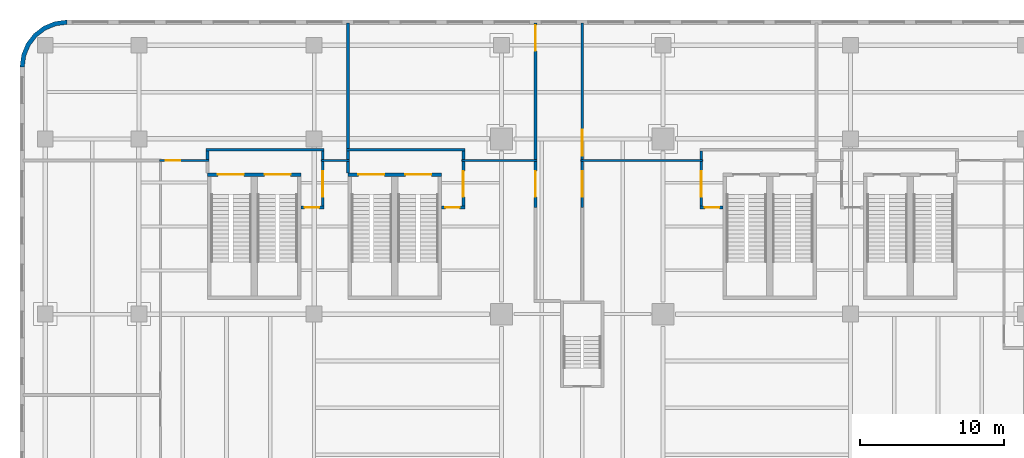
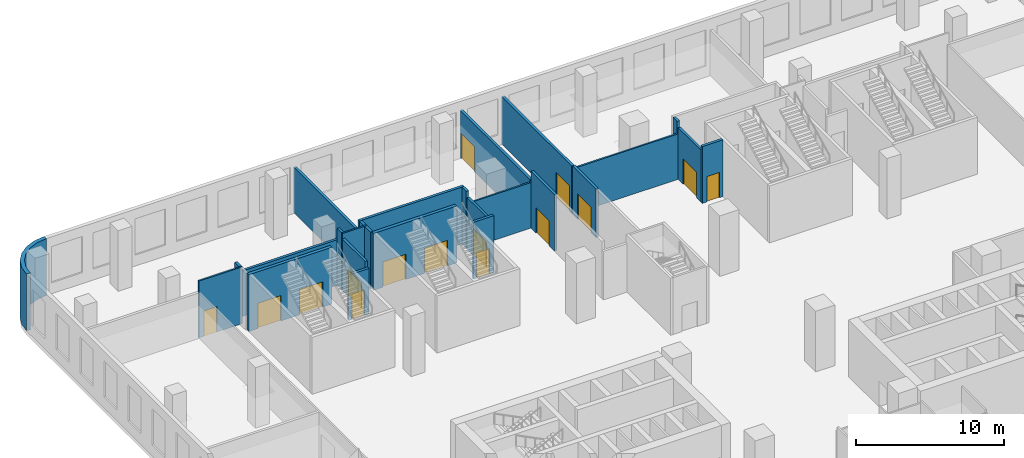
# One storey, part 13 of 17: 26 walls, 15 doors, 15 openings.
"""IFC4 building model written with IfcOpenShell, lengths in metres."""

from ifc_helpers import new_model, si_unit, direction, frame, frame_2d, origin, place, context, subcontext, project, spatial, polyline, rectangle, outline, extrude, source, transform, mapped, material, layer, layer_set, type_object, element, fill, save


model = new_model("IFC4")

# Units and contexts
model_context = context("Model", 3, precision=1e-05, world=origin(), true_north=direction((0.0, 1.0)))
body_context = subcontext(model_context, "Body", "Model", "MODEL_VIEW")
ifc_project = project(units=[si_unit("LENGTHUNIT", "METRE"), si_unit("AREAUNIT", "SQUARE_METRE"), si_unit("VOLUMEUNIT", "CUBIC_METRE"), si_unit("PLANEANGLEUNIT", "RADIAN"), si_unit("MASSUNIT", "GRAM", prefix="KILO")], contexts=[model_context])

# Site, building, storey
site_placement = place(None, origin())
site = spatial("IfcSite", under=ifc_project, at=site_placement, CompositionType="ELEMENT")
building_placement = place(site_placement, origin())
building = spatial("IfcBuilding", under=site, at=building_placement, Name="Trellis Farm Tower", CompositionType="ELEMENT")
storey_placement = place(building_placement, frame((0.0, 0.0, 19.0)))
storey = spatial("IfcBuildingStorey", under=building, at=storey_placement, Name="L03", CompositionType="ELEMENT", Elevation=19.0)

# Wall, openings, doors
ifc_material_1 = material(Name="Concrete C80/95", Category="concrete")
ifc_layer_1 = layer(ifc_material_1, 0.25)
ifc_layer_set_1 = layer_set([ifc_layer_1], Name="CORE STAIR ENCLOSURE WALL 250 CONCRETE C80/95")
wall_type_1 = type_object("IfcWallType", Name="CORE STAIR ENCLOSURE WALL 250 CONCRETE C80/95", PredefinedType="SHEAR", material=ifc_layer_set_1)
shared_shape_1 = source(origin(), body_context, "Body", "SweptSolid", [
    extrude(rectangle(XDim=6.5, YDim=0.25, at=frame_2d((3.25, 0.0))), origin(), (0.0, 0.0, 1.0), 4.699951171875),
])
wall_1_placement = place(storey_placement, frame((-26.0, 28.27490234375, 0.0), z_axis=(0.0, 0.0, 1.0), x_axis=(1.0, 0.0, 0.0)))
wall_1 = element("IfcWall", 1, at=wall_1_placement, inside=storey, type_object=wall_type_1, Name="Podium stair enclosure wall", PredefinedType="SHEAR", context=body_context, shape_type="MappedRepresentation", body=[
    mapped(shared_shape_1, transform((0.0, 0.0, 0.0))),
])
shared_shape_2 = source(origin(), body_context, "Body", "SweptSolid", [
    extrude(rectangle(XDim=1.800048828125, YDim=2.10009765625, at=frame_2d((0.89990234375, 1.050048828125))), frame((0.0, 0.135009765625, 0.0), z_axis=(0.0, -1.0, 0.0), x_axis=(1.0, 0.0, 0.0)), (0.0, 0.0, 1.0), 0.27001953125),
])
opening_1_placement = place(wall_1_placement, frame((0.72509765625, 0.0, 0.0)))
opening_1 = element("IfcOpeningElement", 2, at=opening_1_placement, cuts=wall_1, Name="Opening DP1", PredefinedType="OPENING", context=body_context, shape_type="MappedRepresentation", body=[
    mapped(shared_shape_2, transform((0.0, 0.0, 0.0))),
])
opening_2_placement = place(wall_1_placement, frame((3.97509765625, 0.0, 0.0)))
opening_2 = element("IfcOpeningElement", 3, at=opening_2_placement, cuts=wall_1, Name="Opening DP2", PredefinedType="OPENING", context=body_context, shape_type="MappedRepresentation", body=[
    mapped(shared_shape_2, transform((0.0, 0.0, 0.0))),
])
ifc_material_2 = material(Name="Steel", Category="steel")
door_type_1 = type_object("IfcDoorType", Name="CORE FIRE DOOR DOUBLE 1800 X 2100", OperationType="DOUBLE_DOOR_SINGLE_SWING", PredefinedType="DOOR", material=ifc_material_2)
shared_shape_3 = source(origin(), body_context, "Body", "SweptSolid", [
    extrude(rectangle(XDim=1.800048828125, YDim=2.10009765625, at=frame_2d((0.89990234375, 1.050048828125))), frame((0.0, 0.02490234375, 0.0), z_axis=(0.0, -1.0, 0.0), x_axis=(1.0, 0.0, 0.0)), (0.0, 0.0, 1.0), 0.050048828125),
])
door_1_placement = place(opening_1_placement, origin())
door_1 = element("IfcDoor", 4, at=door_1_placement, inside=storey, type_object=door_type_1, Name="Podium stair door", OperationType="DOUBLE_DOOR_SINGLE_SWING", OverallHeight=2.10009765625, OverallWidth=1.800048828125, PredefinedType="DOOR", context=body_context, shape_type="MappedRepresentation", body=[
    mapped(shared_shape_3, transform((0.0, 0.0, 0.0))),
])
fill(opening_1, door_1)
door_2_placement = place(opening_2_placement, origin())
door_2 = element("IfcDoor", 5, at=door_2_placement, inside=storey, type_object=door_type_1, Name="Podium stair door", OperationType="DOUBLE_DOOR_SINGLE_SWING", OverallHeight=2.10009765625, OverallWidth=1.800048828125, PredefinedType="DOOR", context=body_context, shape_type="MappedRepresentation", body=[
    mapped(shared_shape_3, transform((0.0, 0.0, 0.0))),
])
fill(opening_2, door_2)

wall_2_placement = place(storey_placement, frame((-16.25, 28.27490234375, 0.0), z_axis=(0.0, 0.0, 1.0), x_axis=(1.0, 0.0, 0.0)))
wall_2 = element("IfcWall", 6, at=wall_2_placement, inside=storey, type_object=wall_type_1, Name="Podium stair enclosure wall", PredefinedType="SHEAR", context=body_context, shape_type="MappedRepresentation", body=[
    mapped(shared_shape_1, transform((0.0, 0.0, 0.0))),
])
opening_3_placement = place(wall_2_placement, frame((0.72509765625, 0.0, 0.0)))
opening_3 = element("IfcOpeningElement", 7, at=opening_3_placement, cuts=wall_2, Name="Opening DP3", PredefinedType="OPENING", context=body_context, shape_type="MappedRepresentation", body=[
    mapped(shared_shape_2, transform((0.0, 0.0, 0.0))),
])
opening_4_placement = place(wall_2_placement, frame((3.97509765625, 0.0, 0.0)))
opening_4 = element("IfcOpeningElement", 8, at=opening_4_placement, cuts=wall_2, Name="Opening DP4", PredefinedType="OPENING", context=body_context, shape_type="MappedRepresentation", body=[
    mapped(shared_shape_2, transform((0.0, 0.0, 0.0))),
])
door_3_placement = place(opening_3_placement, origin())
door_3 = element("IfcDoor", 9, at=door_3_placement, inside=storey, type_object=door_type_1, Name="Podium stair door", OperationType="DOUBLE_DOOR_SINGLE_SWING", OverallHeight=2.10009765625, OverallWidth=1.800048828125, PredefinedType="DOOR", context=body_context, shape_type="MappedRepresentation", body=[
    mapped(shared_shape_3, transform((0.0, 0.0, 0.0))),
])
fill(opening_3, door_3)
door_4_placement = place(opening_4_placement, origin())
door_4 = element("IfcDoor", 10, at=door_4_placement, inside=storey, type_object=door_type_1, Name="Podium stair door", OperationType="DOUBLE_DOOR_SINGLE_SWING", OverallHeight=2.10009765625, OverallWidth=1.800048828125, PredefinedType="DOOR", context=body_context, shape_type="MappedRepresentation", body=[
    mapped(shared_shape_3, transform((0.0, 0.0, 0.0))),
])
fill(opening_4, door_4)

# Walls
ifc_material_3 = material(Name="Sandstone faced insulated wall", Category="masonry")
ifc_layer_2 = layer(ifc_material_3, 0.300048828125)
ifc_layer_set_2 = layer_set([ifc_layer_2], Name="STONE CLAD EXTERNAL WALL 300")
wall_type_2 = type_object("IfcWallType", Name="STONE CLAD EXTERNAL WALL 300", PredefinedType="SOLIDWALL", material=ifc_layer_set_2)
shared_shape_4 = source(origin(), body_context, "Body", "SweptSolid", [
    extrude(outline(polyline([(-35.75, 39.0), (-36.591064453125, 38.88916015625), (-37.375, 38.564697265625), (-38.048095703125, 38.048095703125), (-38.564697265625, 37.375), (-38.88916015625, 36.591064453125), (-39.0, 35.75), (-38.699951171875, 35.730224609375), (-38.596923828125, 36.512939453125), (-38.302490234375, 37.2236328125), (-37.834228515625, 37.834228515625), (-37.2236328125, 38.302490234375), (-36.512939453125, 38.596923828125), (-35.730224609375, 38.699951171875), (-35.75, 39.0)])), origin(), (0.0, 0.0, 1.0), 4.699951171875),
])
wall_3_placement = place(storey_placement, origin())
element("IfcWall", 11, at=wall_3_placement, inside=storey, type_object=wall_type_2, Name="EW2 C02", PredefinedType="SOLIDWALL", context=body_context, shape_type="MappedRepresentation", body=[
    mapped(shared_shape_4, transform((0.0, 0.0, 0.0))),
])
ifc_material_4 = material(Name="Lightweight blockwork, plastered", Category="masonry")
ifc_layer_3 = layer(ifc_material_4, 0.199951171875)
ifc_layer_set_3 = layer_set([ifc_layer_3], Name="BLOCK WALL 200 EI 120")
wall_type_3 = type_object("IfcWallType", Name="BLOCK WALL 200 EI 120", PredefinedType="PARTITIONING", material=ifc_layer_set_3)
shared_shape_5 = source(origin(), body_context, "Body", "SweptSolid", [
    extrude(rectangle(XDim=0.78759765625, YDim=0.199951171875, at=frame_2d((0.393798828125, 0.0))), origin(), (0.0, 0.0, 1.0), 4.699951171875),
])
wall_4_placement = place(storey_placement, frame((-16.25, 28.39990234375, 0.0), z_axis=(0.0, 0.0, 1.0), x_axis=(0.0, 1.0, 0.0)))
element("IfcWall", 12, at=wall_4_placement, inside=storey, type_object=wall_type_3, Name="Partition PW3", PredefinedType="PARTITIONING", context=body_context, shape_type="MappedRepresentation", body=[
    mapped(shared_shape_5, transform((0.0, 0.0, 0.0))),
])
shared_shape_6 = source(origin(), body_context, "Body", "SweptSolid", [
    extrude(rectangle(XDim=0.58740234375, YDim=0.199951171875, at=frame_2d((0.293701171875, 0.0))), origin(), (0.0, 0.0, 1.0), 4.699951171875),
])
for number, where, z_axis, x_axis, name in (
    (13, (-26.0, 29.3125, 0.0), (0.0, 0.0, 1.0), (0.0, 1.0, 0.0), "Partition PW3"),
    (14, (-18.0, 29.3125, 0.0), (0.0, 0.0, 1.0), (0.0, 1.0, 0.0), "Partition PW3"),
    (15, (-16.25, 29.3125, 0.0), (0.0, 0.0, 1.0), (0.0, 1.0, 0.0), "Partition PW3"),
    (16, (-8.25, 29.3125, 0.0), (0.0, 0.0, 1.0), (0.0, 1.0, 0.0), "Partition PW3"),
    (17, (8.25, 29.3125, 0.0), (0.0, 0.0, 1.0), (0.0, 1.0, 0.0), "Partition PW3"),
):
    element("IfcWall", number, at=place(storey_placement, frame(where, z_axis=z_axis, x_axis=x_axis)), inside=storey, type_object=wall_type_3, Name=name, PredefinedType="PARTITIONING", context=body_context, shape_type="MappedRepresentation", body=[
        mapped(shared_shape_6, transform((0.0, 0.0, 0.0))),
    ])

# Wall, opening, door
shared_shape_7 = source(origin(), body_context, "Body", "SweptSolid", [
    extrude(rectangle(XDim=3.08740234375, YDim=0.199951171875, at=frame_2d((1.543701171875, 0.0))), origin(), (0.0, 0.0, 1.0), 4.273681640625),
])
wall_5_placement = place(storey_placement, frame((-18.0, 29.1875, 0.0), z_axis=(0.0, 0.0, 1.0), x_axis=(0.0, -1.0, 0.0)))
wall_5 = element("IfcWall", 18, at=wall_5_placement, inside=storey, type_object=wall_type_3, Name="Partition PW3", PredefinedType="PARTITIONING", context=body_context, shape_type="MappedRepresentation", body=[
    mapped(shared_shape_7, transform((0.0, 0.0, 0.0))),
])
shared_shape_8 = source(origin(), body_context, "Body", "SweptSolid", [
    extrude(rectangle(XDim=1.800048828125, YDim=2.10009765625, at=frame_2d((0.89990234375, 1.050048828125))), frame((0.0, 0.110107421875, 0.0), z_axis=(0.0, -1.0, 0.0), x_axis=(1.0, 0.0, 0.0)), (0.0, 0.0, 1.0), 0.22021484375),
])
opening_5_placement = place(wall_5_placement, frame((0.66259765625, 0.0, 0.0)))
opening_5 = element("IfcOpeningElement", 19, at=opening_5_placement, cuts=wall_5, Name="Opening D413", PredefinedType="OPENING", context=body_context, shape_type="MappedRepresentation", body=[
    mapped(shared_shape_8, transform((0.0, 0.0, 0.0))),
])
ifc_material_5 = material(Name="Fire-rated timber door leaf in a hollow metal frame", Category="wood")
door_type_2 = type_object("IfcDoorType", Name="DOOR PAIR 1800x2100 FD60", OperationType="NOTDEFINED", PredefinedType="DOOR", material=ifc_material_5)
door_5_placement = place(opening_5_placement, origin())
door_5 = element("IfcDoor", 20, at=door_5_placement, inside=storey, type_object=door_type_2, Name="Door D413", OperationType="DOUBLE_DOOR_SINGLE_SWING", OverallHeight=2.10009765625, OverallWidth=1.800048828125, PredefinedType="DOOR", context=body_context, shape_type="MappedRepresentation", body=[
    mapped(shared_shape_3, transform((0.0, 0.0, 0.0))),
])
fill(opening_5, door_5)

wall_6_placement = place(storey_placement, frame((-8.25, 29.1875, 0.0), z_axis=(0.0, 0.0, 1.0), x_axis=(0.0, -1.0, 0.0)))
wall_6 = element("IfcWall", 21, at=wall_6_placement, inside=storey, type_object=wall_type_3, Name="Partition PW3", PredefinedType="PARTITIONING", context=body_context, shape_type="MappedRepresentation", body=[
    mapped(shared_shape_7, transform((0.0, 0.0, 0.0))),
])
opening_6_placement = place(wall_6_placement, frame((0.66259765625, 0.0, 0.0)))
opening_6 = element("IfcOpeningElement", 22, at=opening_6_placement, cuts=wall_6, Name="Opening D414", PredefinedType="OPENING", context=body_context, shape_type="MappedRepresentation", body=[
    mapped(shared_shape_8, transform((0.0, 0.0, 0.0))),
])
door_6_placement = place(opening_6_placement, origin())
door_6 = element("IfcDoor", 23, at=door_6_placement, inside=storey, type_object=door_type_2, Name="Door D414", OperationType="DOUBLE_DOOR_SINGLE_SWING", OverallHeight=2.10009765625, OverallWidth=1.800048828125, PredefinedType="DOOR", context=body_context, shape_type="MappedRepresentation", body=[
    mapped(shared_shape_3, transform((0.0, 0.0, 0.0))),
])
fill(opening_6, door_6)

wall_7_placement = place(storey_placement, frame((8.25, 26.10009765625, 0.0), z_axis=(0.0, 0.0, 1.0), x_axis=(0.0, 1.0, 0.0)))
wall_7 = element("IfcWall", 24, at=wall_7_placement, inside=storey, type_object=wall_type_3, Name="Partition PW3", PredefinedType="PARTITIONING", context=body_context, shape_type="MappedRepresentation", body=[
    mapped(shared_shape_7, transform((0.0, 0.0, 0.0))),
])
opening_7_placement = place(wall_7_placement, frame((0.625, 0.0, 0.0)))
opening_7 = element("IfcOpeningElement", 25, at=opening_7_placement, cuts=wall_7, Name="Opening D417", PredefinedType="OPENING", context=body_context, shape_type="MappedRepresentation", body=[
    mapped(shared_shape_8, transform((0.0, 0.0, 0.0))),
])
door_7_placement = place(opening_7_placement, origin())
door_7 = element("IfcDoor", 26, at=door_7_placement, inside=storey, type_object=door_type_2, Name="Door D417", OperationType="DOUBLE_DOOR_SINGLE_SWING", OverallHeight=2.10009765625, OverallWidth=1.800048828125, PredefinedType="DOOR", context=body_context, shape_type="MappedRepresentation", body=[
    mapped(shared_shape_3, transform((0.0, 0.0, 0.0))),
])
fill(opening_7, door_7)

# Wall
shared_shape_9 = source(origin(), body_context, "Body", "SweptSolid", [
    extrude(rectangle(XDim=8.699951171875, YDim=0.199951171875, at=frame_2d((4.35009765625, 0.0))), origin(), (0.0, 0.0, 1.0), 3.76171875),
])
wall_8_placement = place(storey_placement, frame((-16.25, 30.10009765625, 0.0), z_axis=(0.0, 0.0, 1.0), x_axis=(0.0, 1.0, 0.0)))
element("IfcWall", 27, at=wall_8_placement, inside=storey, type_object=wall_type_3, Name="Partition PW3", PredefinedType="PARTITIONING", context=body_context, shape_type="MappedRepresentation", body=[
    mapped(shared_shape_9, transform((0.0, 0.0, 0.0))),
])

# Wall, opening, door
shared_shape_10 = source(origin(), body_context, "Body", "SweptSolid", [
    extrude(rectangle(XDim=9.487548828125, YDim=0.199951171875, at=frame_2d((4.74365234375, 0.0))), origin(), (0.0, 0.0, 1.0), 3.917724609375),
])
wall_9_placement = place(storey_placement, frame((-3.25, 29.3125, 0.0), z_axis=(0.0, 0.0, 1.0), x_axis=(0.0, 1.0, 0.0)))
wall_9 = element("IfcWall", 28, at=wall_9_placement, inside=storey, type_object=wall_type_3, Name="Partition PW3", PredefinedType="PARTITIONING", context=body_context, shape_type="MappedRepresentation", body=[
    mapped(shared_shape_10, transform((0.0, 0.0, 0.0))),
])
opening_8_placement = place(wall_9_placement, frame((7.53759765625, 0.0, 0.0)))
opening_8 = element("IfcOpeningElement", 29, at=opening_8_placement, cuts=wall_9, Name="Opening D206", PredefinedType="OPENING", context=body_context, shape_type="MappedRepresentation", body=[
    mapped(shared_shape_8, transform((0.0, 0.0, 0.0))),
])
door_type_3 = type_object("IfcDoorType", Name="DOOR PAIR 1800x2100 FD30S", OperationType="NOTDEFINED", PredefinedType="DOOR", material=ifc_material_5)
door_8_placement = place(opening_8_placement, origin())
door_8 = element("IfcDoor", 30, at=door_8_placement, inside=storey, type_object=door_type_3, Name="Door D206", OperationType="DOUBLE_DOOR_SINGLE_SWING", OverallHeight=2.10009765625, OverallWidth=1.800048828125, PredefinedType="DOOR", context=body_context, shape_type="MappedRepresentation", body=[
    mapped(shared_shape_3, transform((0.0, 0.0, 0.0))),
])
fill(opening_8, door_8)

wall_10_placement = place(storey_placement, frame((0.0, 38.800048828125, 0.0), z_axis=(0.0, 0.0, 1.0), x_axis=(0.0, -1.0, 0.0)))
wall_10 = element("IfcWall", 31, at=wall_10_placement, inside=storey, type_object=wall_type_3, Name="Partition PW3", PredefinedType="PARTITIONING", context=body_context, shape_type="MappedRepresentation", body=[
    mapped(shared_shape_10, transform((0.0, 0.0, 0.0))),
])
opening_9_placement = place(wall_10_placement, frame((7.39990234375, 0.0, 0.0)))
opening_9 = element("IfcOpeningElement", 32, at=opening_9_placement, cuts=wall_10, Name="Opening D205", PredefinedType="OPENING", context=body_context, shape_type="MappedRepresentation", body=[
    mapped(shared_shape_8, transform((0.0, 0.0, 0.0))),
])
door_9_placement = place(opening_9_placement, origin())
door_9 = element("IfcDoor", 33, at=door_9_placement, inside=storey, type_object=door_type_3, Name="Door D205", OperationType="DOUBLE_DOOR_SINGLE_SWING", OverallHeight=2.10009765625, OverallWidth=1.800048828125, PredefinedType="DOOR", context=body_context, shape_type="MappedRepresentation", body=[
    mapped(shared_shape_3, transform((0.0, 0.0, 0.0))),
])
fill(opening_9, door_9)

# Walls
shared_shape_11 = source(origin(), body_context, "Body", "SweptSolid", [
    extrude(rectangle(XDim=8.2001953125, YDim=0.199951171875, at=frame_2d((4.10009765625, 0.0))), origin(), (0.0, 0.0, 1.0), 4.699951171875),
])
wall_11_placement = place(storey_placement, frame((-16.35009765625, 30.0, 0.0), z_axis=(0.0, 0.0, 1.0), x_axis=(1.0, 0.0, 0.0)))
element("IfcWall", 34, at=wall_11_placement, inside=storey, type_object=wall_type_3, Name="Partition PW3", PredefinedType="PARTITIONING", context=body_context, shape_type="MappedRepresentation", body=[
    mapped(shared_shape_11, transform((0.0, 0.0, 0.0))),
])
shared_shape_12 = source(origin(), body_context, "Body", "SweptSolid", [
    extrude(rectangle(XDim=8.2001953125, YDim=0.199951171875, at=frame_2d((4.10009765625, 0.0))), origin(), (0.0, 0.0, 1.0), 3.76171875),
])
wall_12_placement = place(storey_placement, frame((-26.10009765625, 30.0, 0.0), z_axis=(0.0, 0.0, 1.0), x_axis=(1.0, 0.0, 0.0)))
element("IfcWall", 35, at=wall_12_placement, inside=storey, type_object=wall_type_3, Name="Partition PW3", PredefinedType="PARTITIONING", context=body_context, shape_type="MappedRepresentation", body=[
    mapped(shared_shape_12, transform((0.0, 0.0, 0.0))),
])
ifc_material_6 = material(Name="Plasterboard on steel studs, mineral wool", Category="steel")
ifc_layer_4 = layer(ifc_material_6, 0.125)
ifc_layer_set_4 = layer_set([ifc_layer_4], Name="PARTITION 125 STUD EI 60")
wall_type_4 = type_object("IfcWallType", Name="PARTITION 125 STUD EI 60", PredefinedType="PARTITIONING", material=ifc_layer_set_4)
shared_shape_13 = source(origin(), body_context, "Body", "SweptSolid", [
    extrude(rectangle(XDim=1.9501953125, YDim=0.125, at=frame_2d((0.97509765625, 0.0))), origin(), (0.0, 0.0, 1.0), 4.699951171875),
])
wall_13_placement = place(storey_placement, frame((-18.10009765625, 29.25, 0.0), z_axis=(0.0, 0.0, 1.0), x_axis=(1.0, 0.0, 0.0)))
element("IfcWall", 36, at=wall_13_placement, inside=storey, type_object=wall_type_4, Name="Partition PW1", PredefinedType="PARTITIONING", context=body_context, shape_type="MappedRepresentation", body=[
    mapped(shared_shape_13, transform((0.0, 0.0, 0.0))),
])

# Wall, opening, door
shared_shape_14 = source(origin(), body_context, "Body", "SweptSolid", [
    extrude(rectangle(XDim=3.41259765625, YDim=0.125, at=frame_2d((1.706298828125, 0.0))), origin(), (0.0, 0.0, 1.0), 4.699951171875),
])
wall_14_placement = place(storey_placement, frame((-29.3125, 29.25, 0.0), z_axis=(0.0, 0.0, 1.0), x_axis=(1.0, 0.0, 0.0)))
wall_14 = element("IfcWall", 37, at=wall_14_placement, inside=storey, type_object=wall_type_4, Name="Partition PW1", PredefinedType="PARTITIONING", context=body_context, shape_type="MappedRepresentation", body=[
    mapped(shared_shape_14, transform((0.0, 0.0, 0.0))),
])
shared_shape_15 = source(origin(), body_context, "Body", "SweptSolid", [
    extrude(rectangle(XDim=1.0, YDim=2.10009765625, at=frame_2d((0.5, 1.050048828125))), frame((0.0, 0.072509765625, 0.0), z_axis=(0.0, -1.0, 0.0), x_axis=(1.0, 0.0, 0.0)), (0.0, 0.0, 1.0), 0.14501953125),
])
opening_10_placement = place(wall_14_placement, frame((0.41259765625, 0.0, 0.0)))
opening_10 = element("IfcOpeningElement", 38, at=opening_10_placement, cuts=wall_14, Name="Opening D310", PredefinedType="OPENING", context=body_context, shape_type="MappedRepresentation", body=[
    mapped(shared_shape_15, transform((0.0, 0.0, 0.0))),
])
door_type_4 = type_object("IfcDoorType", Name="DOOR 1000x2100 FD60", OperationType="NOTDEFINED", PredefinedType="DOOR", material=ifc_material_5)
shared_shape_16 = source(origin(), body_context, "Body", "SweptSolid", [
    extrude(rectangle(XDim=1.0, YDim=2.10009765625, at=frame_2d((0.5, 1.050048828125))), frame((0.0, 0.02490234375, 0.0), z_axis=(0.0, -1.0, 0.0), x_axis=(1.0, 0.0, 0.0)), (0.0, 0.0, 1.0), 0.050048828125),
])
door_10_placement = place(opening_10_placement, origin())
door_10 = element("IfcDoor", 39, at=door_10_placement, inside=storey, type_object=door_type_4, Name="Door D310", OperationType="SINGLE_SWING_LEFT", OverallHeight=2.10009765625, OverallWidth=1.0, PredefinedType="DOOR", context=body_context, shape_type="MappedRepresentation", body=[
    mapped(shared_shape_16, transform((0.0, 0.0, 0.0))),
])
fill(opening_10, door_10)

shared_shape_17 = source(origin(), body_context, "Body", "SweptSolid", [
    extrude(rectangle(XDim=1.60009765625, YDim=0.199951171875, at=frame_2d((0.800048828125, 0.0))), origin(), (0.0, 0.0, 1.0), 4.699951171875),
])
wall_15_placement = place(storey_placement, frame((-9.75, 26.0, 0.0), z_axis=(0.0, 0.0, 1.0), x_axis=(1.0, 0.0, 0.0)))
wall_15 = element("IfcWall", 40, at=wall_15_placement, inside=storey, type_object=wall_type_3, Name="Partition PW3", PredefinedType="PARTITIONING", context=body_context, shape_type="MappedRepresentation", body=[
    mapped(shared_shape_17, transform((0.0, 0.0, 0.0))),
])
shared_shape_18 = source(origin(), body_context, "Body", "SweptSolid", [
    extrude(rectangle(XDim=1.0, YDim=2.10009765625, at=frame_2d((0.5, 1.050048828125))), frame((0.0, 0.110107421875, 0.0), z_axis=(0.0, -1.0, 0.0), x_axis=(1.0, 0.0, 0.0)), (0.0, 0.0, 1.0), 0.22021484375),
])
opening_11_placement = place(wall_15_placement, frame((0.25, 0.0, 0.0)))
opening_11 = element("IfcOpeningElement", 41, at=opening_11_placement, cuts=wall_15, Name="Opening D307", PredefinedType="OPENING", context=body_context, shape_type="MappedRepresentation", body=[
    mapped(shared_shape_18, transform((0.0, 0.0, 0.0))),
])
door_11_placement = place(opening_11_placement, origin())
door_11 = element("IfcDoor", 42, at=door_11_placement, inside=storey, type_object=door_type_4, Name="Door D307", OperationType="SINGLE_SWING_LEFT", OverallHeight=2.10009765625, OverallWidth=1.0, PredefinedType="DOOR", context=body_context, shape_type="MappedRepresentation", body=[
    mapped(shared_shape_16, transform((0.0, 0.0, 0.0))),
])
fill(opening_11, door_11)

wall_16_placement = place(storey_placement, frame((8.14990234375, 26.0, 0.0), z_axis=(0.0, 0.0, 1.0), x_axis=(1.0, 0.0, 0.0)))
wall_16 = element("IfcWall", 43, at=wall_16_placement, inside=storey, type_object=wall_type_3, Name="Partition PW3", PredefinedType="PARTITIONING", context=body_context, shape_type="MappedRepresentation", body=[
    mapped(shared_shape_17, transform((0.0, 0.0, 0.0))),
])
opening_12_placement = place(wall_16_placement, frame((0.35009765625, 0.0, 0.0)))
opening_12 = element("IfcOpeningElement", 44, at=opening_12_placement, cuts=wall_16, Name="Opening D308", PredefinedType="OPENING", context=body_context, shape_type="MappedRepresentation", body=[
    mapped(shared_shape_18, transform((0.0, 0.0, 0.0))),
])
door_12_placement = place(opening_12_placement, origin())
door_12 = element("IfcDoor", 45, at=door_12_placement, inside=storey, type_object=door_type_4, Name="Door D308", OperationType="SINGLE_SWING_LEFT", OverallHeight=2.10009765625, OverallWidth=1.0, PredefinedType="DOOR", context=body_context, shape_type="MappedRepresentation", body=[
    mapped(shared_shape_16, transform((0.0, 0.0, 0.0))),
])
fill(opening_12, door_12)

shared_shape_19 = source(origin(), body_context, "Body", "SweptSolid", [
    extrude(rectangle(XDim=1.60009765625, YDim=0.199951171875, at=frame_2d((0.800048828125, 0.0))), origin(), (0.0, 0.0, 1.0), 3.76171875),
])
wall_17_placement = place(storey_placement, frame((-19.5, 26.0, 0.0), z_axis=(0.0, 0.0, 1.0), x_axis=(1.0, 0.0, 0.0)))
wall_17 = element("IfcWall", 46, at=wall_17_placement, inside=storey, type_object=wall_type_3, Name="Partition PW3", PredefinedType="PARTITIONING", context=body_context, shape_type="MappedRepresentation", body=[
    mapped(shared_shape_19, transform((0.0, 0.0, 0.0))),
])
opening_13_placement = place(wall_17_placement, frame((0.25, 0.0, 0.0)))
opening_13 = element("IfcOpeningElement", 47, at=opening_13_placement, cuts=wall_17, Name="Opening D306", PredefinedType="OPENING", context=body_context, shape_type="MappedRepresentation", body=[
    mapped(shared_shape_18, transform((0.0, 0.0, 0.0))),
])
door_13_placement = place(opening_13_placement, origin())
door_13 = element("IfcDoor", 48, at=door_13_placement, inside=storey, type_object=door_type_4, Name="Door D306", OperationType="SINGLE_SWING_LEFT", OverallHeight=2.10009765625, OverallWidth=1.0, PredefinedType="DOOR", context=body_context, shape_type="MappedRepresentation", body=[
    mapped(shared_shape_16, transform((0.0, 0.0, 0.0))),
])
fill(opening_13, door_13)

shared_shape_20 = source(origin(), body_context, "Body", "SweptSolid", [
    extrude(rectangle(XDim=3.1875, YDim=0.199951171875, at=frame_2d((1.59375, 0.0))), origin(), (0.0, 0.0, 1.0), 4.699951171875),
])
wall_18_placement = place(storey_placement, frame((-3.25, 26.0, 0.0), z_axis=(0.0, 0.0, 1.0), x_axis=(0.0, 1.0, 0.0)))
wall_18 = element("IfcWall", 49, at=wall_18_placement, inside=storey, type_object=wall_type_3, Name="Partition PW3", PredefinedType="PARTITIONING", context=body_context, shape_type="MappedRepresentation", body=[
    mapped(shared_shape_20, transform((0.0, 0.0, 0.0))),
])
opening_14_placement = place(wall_18_placement, frame((0.72509765625, 0.0, 0.0)))
opening_14 = element("IfcOpeningElement", 50, at=opening_14_placement, cuts=wall_18, Name="Opening D415", PredefinedType="OPENING", context=body_context, shape_type="MappedRepresentation", body=[
    mapped(shared_shape_8, transform((0.0, 0.0, 0.0))),
])
door_14_placement = place(opening_14_placement, origin())
door_14 = element("IfcDoor", 51, at=door_14_placement, inside=storey, type_object=door_type_2, Name="Door D415", OperationType="DOUBLE_DOOR_SINGLE_SWING", OverallHeight=2.10009765625, OverallWidth=1.800048828125, PredefinedType="DOOR", context=body_context, shape_type="MappedRepresentation", body=[
    mapped(shared_shape_3, transform((0.0, 0.0, 0.0))),
])
fill(opening_14, door_14)

shared_shape_21 = source(origin(), body_context, "Body", "SweptSolid", [
    extrude(rectangle(XDim=3.1875, YDim=0.199951171875, at=frame_2d((1.59375, 0.0))), origin(), (0.0, 0.0, 1.0), 3.996337890625),
])
wall_19_placement = place(storey_placement, frame((0.0, 29.1875, 0.0), z_axis=(0.0, 0.0, 1.0), x_axis=(0.0, -1.0, 0.0)))
wall_19 = element("IfcWall", 52, at=wall_19_placement, inside=storey, type_object=wall_type_3, Name="Partition PW3", PredefinedType="PARTITIONING", context=body_context, shape_type="MappedRepresentation", body=[
    mapped(shared_shape_21, transform((0.0, 0.0, 0.0))),
])
opening_15_placement = place(wall_19_placement, frame((0.66259765625, 0.0, 0.0)))
opening_15 = element("IfcOpeningElement", 53, at=opening_15_placement, cuts=wall_19, Name="Opening D416", PredefinedType="OPENING", context=body_context, shape_type="MappedRepresentation", body=[
    mapped(shared_shape_8, transform((0.0, 0.0, 0.0))),
])
door_15_placement = place(opening_15_placement, origin())
door_15 = element("IfcDoor", 54, at=door_15_placement, inside=storey, type_object=door_type_2, Name="Door D416", OperationType="DOUBLE_DOOR_SINGLE_SWING", OverallHeight=2.10009765625, OverallWidth=1.800048828125, PredefinedType="DOOR", context=body_context, shape_type="MappedRepresentation", body=[
    mapped(shared_shape_3, transform((0.0, 0.0, 0.0))),
])
fill(opening_15, door_15)

# Walls
shared_shape_22 = source(origin(), body_context, "Body", "SweptSolid", [
    extrude(rectangle(XDim=5.2001953125, YDim=0.125, at=frame_2d((2.60009765625, 0.0))), origin(), (0.0, 0.0, 1.0), 3.76171875),
])
wall_20_placement = place(storey_placement, frame((-8.35009765625, 29.25, 0.0), z_axis=(0.0, 0.0, 1.0), x_axis=(1.0, 0.0, 0.0)))
element("IfcWall", 55, at=wall_20_placement, inside=storey, type_object=wall_type_4, Name="Partition PW1", PredefinedType="PARTITIONING", context=body_context, shape_type="MappedRepresentation", body=[
    mapped(shared_shape_22, transform((0.0, 0.0, 0.0))),
])
shared_shape_23 = source(origin(), body_context, "Body", "SweptSolid", [
    extrude(rectangle(XDim=8.4501953125, YDim=0.125, at=frame_2d((4.22509765625, 0.0))), origin(), (0.0, 0.0, 1.0), 3.76171875),
])
wall_21_placement = place(storey_placement, frame((-0.10009765625, 29.25, 0.0), z_axis=(0.0, 0.0, 1.0), x_axis=(1.0, 0.0, 0.0)))
element("IfcWall", 56, at=wall_21_placement, inside=storey, type_object=wall_type_4, Name="Partition PW1", PredefinedType="PARTITIONING", context=body_context, shape_type="MappedRepresentation", body=[
    mapped(shared_shape_23, transform((0.0, 0.0, 0.0))),
])

save(model, "model.ifc")
